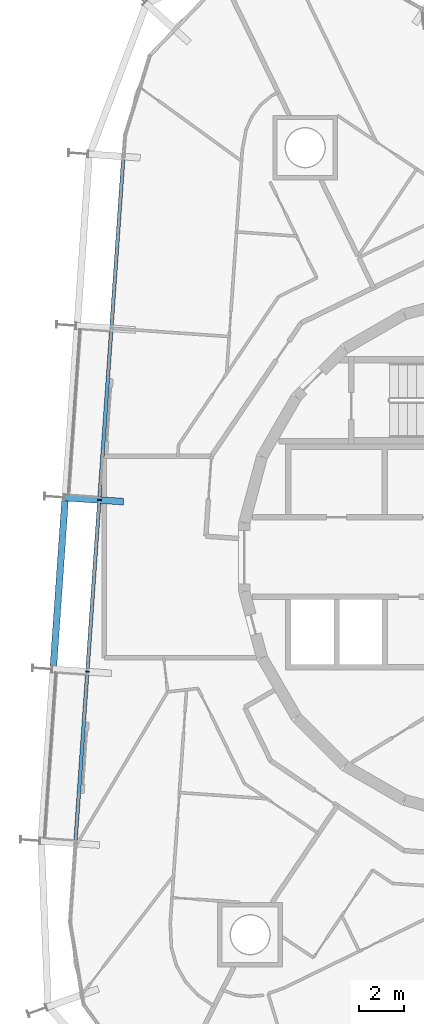
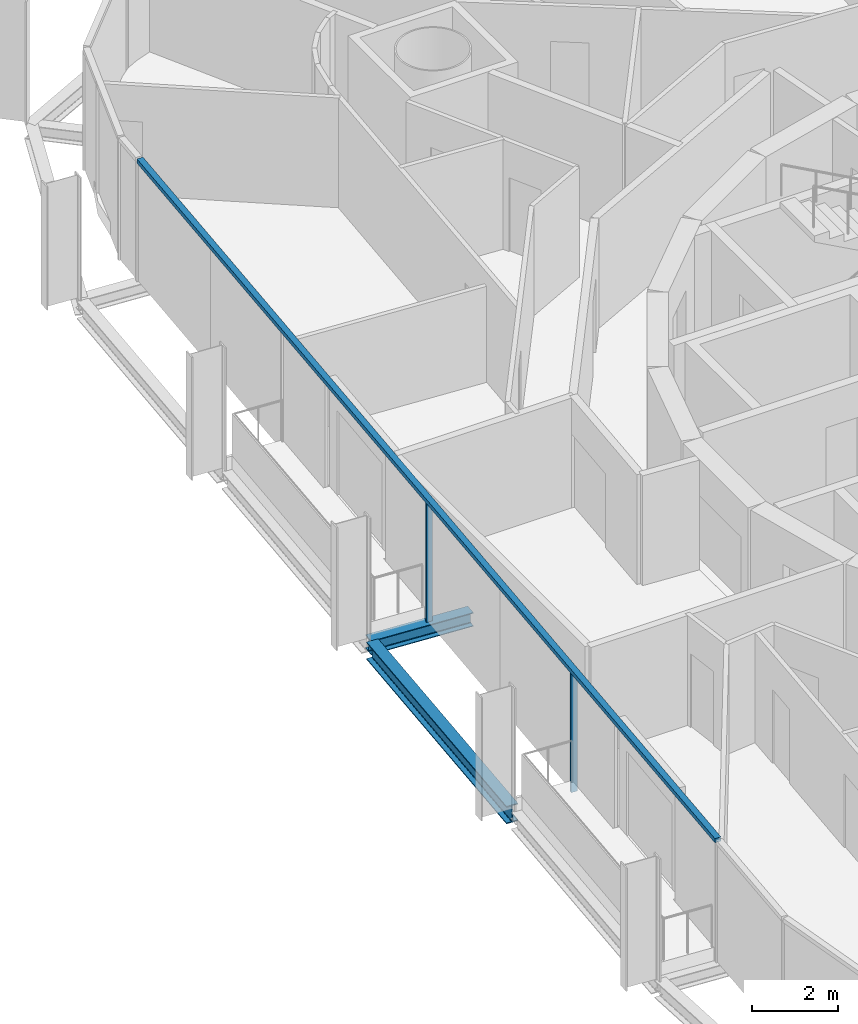
# One storey, part 4 of 17: 3 members, 2 beams, 1 element without a shape of its own.
"""IFC4 building model written with IfcOpenShell, lengths in metres."""

from ifc_helpers import new_model, si_unit, direction, frame, origin, origin_2d, place, context, subcontext, project, spatial, rectangle, i_section, extrude, material, layer, layer_set, material_profile, profile_set, type_object, element, aggregate, save


model = new_model("IFC4")

# Units and contexts
model_context = context("Model", 3, precision=1e-05, world=origin(), true_north=direction((0.0, 1.0)))
body_context = subcontext(model_context, "Body", "Model", "MODEL_VIEW")
ifc_project = project(units=[si_unit("LENGTHUNIT", "METRE"), si_unit("AREAUNIT", "SQUARE_METRE"), si_unit("VOLUMEUNIT", "CUBIC_METRE"), si_unit("PLANEANGLEUNIT", "RADIAN"), si_unit("MASSUNIT", "GRAM", prefix="KILO")], contexts=[model_context])

# Site, building, storey
site_placement = place(None, origin())
site = spatial("IfcSite", under=ifc_project, at=site_placement, CompositionType="ELEMENT")
building_placement = place(site_placement, origin())
building = spatial("IfcBuilding", under=site, at=building_placement, Name="Spindle Arch Residences", CompositionType="ELEMENT")
storey_placement = place(building_placement, frame((0.0, 0.0, 191.89990234375)))
storey = spatial("IfcBuildingStorey", under=building, at=storey_placement, Name="L48", CompositionType="ELEMENT", Elevation=191.89990234375)

# Curtain wall, members
ifc_material_1 = material(Name="Aluminium bronze unitised frame with tinted glass", Category="aluminium")
ifc_layer = layer(ifc_material_1, 0.159912109375)
ifc_layer_set = layer_set([ifc_layer], Name="CW-C typical residential unitised wall")
curtain_wall_type = type_object("IfcCurtainWallType", Name="CW-C typical residential unitised wall", PredefinedType="NOTDEFINED", material=ifc_layer_set)
curtain_wall_placement = place(storey_placement, origin())
curtain_wall = element("IfcCurtainWall", 1, at=curtain_wall_placement, inside=storey, type_object=curtain_wall_type, Name="CW-C L48 run 4", PredefinedType="NOTDEFINED")
ifc_material_2 = material(Name="Aluminium bronze anodised mullion", Category="aluminium")
ifc_material_profile_1 = material_profile(ifc_material_2, rectangle(XDim=0.159912109375, YDim=0.06005859375, at=origin_2d()), Name="MU 60x160")
ifc_profile_set_1 = profile_set([ifc_material_profile_1], Name="Aluminium bronze anodised mullion")
member_type_1 = type_object("IfcMemberType", Name="Bronze mullion 60x160", PredefinedType="MULLION", material=ifc_profile_set_1)
member_1_placement = place(storey_placement, frame((-18.126708984375, 2.552978515625, -0.3798828125), z_axis=(0.0, 0.0, 1.0), x_axis=(0.99756405026, -0.069756473744, 0.0)))
member_1 = element("IfcMember", 2, at=member_1_placement, type_object=member_type_1, Name="CW-C mullion 14", PredefinedType="MULLION", context=body_context, shape_type="SweptSolid", body=[
    extrude(rectangle(XDim=0.159912109375, YDim=0.06005859375, at=origin_2d()), origin(), (0.0, 0.0, 1.0), 3.3798828125),
])
member_2_placement = place(storey_placement, frame((-18.66357421875, -5.1220703125, -0.3798828125), z_axis=(0.0, 0.0, 1.0), x_axis=(0.99756405026, -0.069756473744, 0.0)))
member_2 = element("IfcMember", 3, at=member_2_placement, type_object=member_type_1, Name="CW-C mullion 15", PredefinedType="MULLION", context=body_context, shape_type="SweptSolid", body=[
    extrude(rectangle(XDim=0.159912109375, YDim=0.06005859375, at=origin_2d()), origin(), (0.0, 0.0, 1.0), 3.3798828125),
])
ifc_material_3 = material(Name="Aluminium bronze anodised transom", Category="aluminium")
ifc_material_profile_2 = material_profile(ifc_material_3, rectangle(XDim=0.159912109375, YDim=0.1201171875, at=origin_2d()), Name="TR 120x160")
ifc_profile_set_2 = profile_set([ifc_material_profile_2], Name="Aluminium bronze anodised transom")
member_type_2 = type_object("IfcMemberType", Name="Bronze transom 120x160", PredefinedType="USERDEFINED", material=ifc_profile_set_2)
member_3_placement = place(storey_placement, frame((-17.0556640625, 17.873046875, 3.06005859375), z_axis=(-0.069748921728, -0.997564578319, 0.0), x_axis=(0.997564578319, -0.069748921728, 0.0)))
member_3 = element("IfcMember", 4, at=member_3_placement, type_object=member_type_2, Name="CW-C transom 00", ObjectType="TRANSOM", PredefinedType="USERDEFINED", context=body_context, shape_type="SweptSolid", body=[
    extrude(rectangle(XDim=0.159912109375, YDim=0.1201171875, at=origin_2d()), origin(), (0.0, 0.0, 1.0), 30.71484375),
])
aggregate(curtain_wall, [member_3, member_1, member_2])

# Beams
ifc_material_4 = material(Name="Steel S460ML, intumescent coating R 120", Category="steel")
ifc_material_profile_3 = material_profile(ifc_material_4, i_section(OverallWidth=0.300048828125, OverallDepth=0.5, WebThickness=0.014404296875, FlangeThickness=0.028076171875, FilletRadius=0.027099609375, at=origin_2d()), Name="HEB 500")
ifc_profile_set_3 = profile_set([ifc_material_profile_3], Name="Steel S460ML, intumescent coating R 120")
beam_type_1 = type_object("IfcBeamType", Name="Exoskeleton edge beam HEB 500", PredefinedType="BEAM", material=ifc_profile_set_3)
beam_1_placement = place(storey_placement, frame((-19.662109375, 2.530029296875, -0.6298828125), z_axis=(-0.069757879566, -0.997563951954, 0.0), x_axis=(0.997563951954, -0.069757879566, 0.0)))
element("IfcBeam", 5, at=beam_1_placement, inside=storey, type_object=beam_type_1, Name="Exoskeleton edge beam 15", PredefinedType="BEAM", context=body_context, shape_type="SweptSolid", body=[
    extrude(i_section(OverallWidth=0.300048828125, OverallDepth=0.5, WebThickness=0.014404296875, FlangeThickness=0.028076171875, FilletRadius=0.027099609375, at=origin_2d()), origin(), (0.0, 0.0, 1.0), 7.43359375),
])
ifc_material_5 = material(Name="Steel S460ML, intumescent coating R 120", Category="steel")
ifc_material_profile_4 = material_profile(ifc_material_5, i_section(OverallWidth=0.300048828125, OverallDepth=0.389892578125, WebThickness=0.010986328125, FlangeThickness=0.01904296875, FilletRadius=0.027099609375, at=origin_2d()), Name="HEA 400")
ifc_profile_set_4 = profile_set([ifc_material_profile_4], Name="Steel S460ML, intumescent coating R 120")
beam_type_2 = type_object("IfcBeamType", Name="Floor outrigger HEA 400", PredefinedType="BEAM", material=ifc_profile_set_4)
beam_2_placement = place(storey_placement, frame((-19.693115234375, 2.66259765625, -0.574951171875), z_axis=(0.997565124092, -0.069741115528, 0.0), x_axis=(0.069741115528, 0.997565124092, 0.0)))
element("IfcBeam", 6, at=beam_2_placement, inside=storey, type_object=beam_type_2, Name="Floor outrigger 15", PredefinedType="BEAM", context=body_context, shape_type="SweptSolid", body=[
    extrude(i_section(OverallWidth=0.300048828125, OverallDepth=0.389892578125, WebThickness=0.010986328125, FlangeThickness=0.01904296875, FilletRadius=0.027099609375, at=origin_2d()), origin(), (0.0, 0.0, 1.0), 2.64990234375),
])

save(model, "model.ifc")
